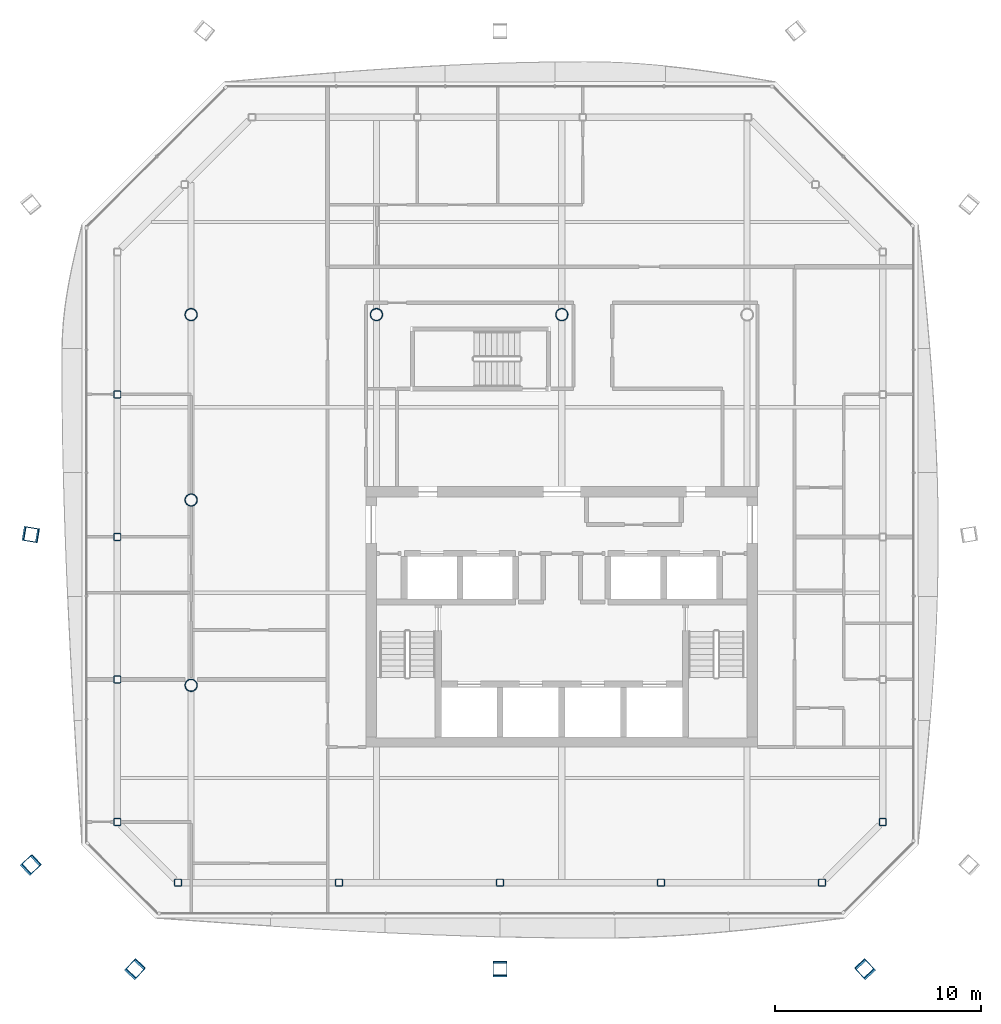
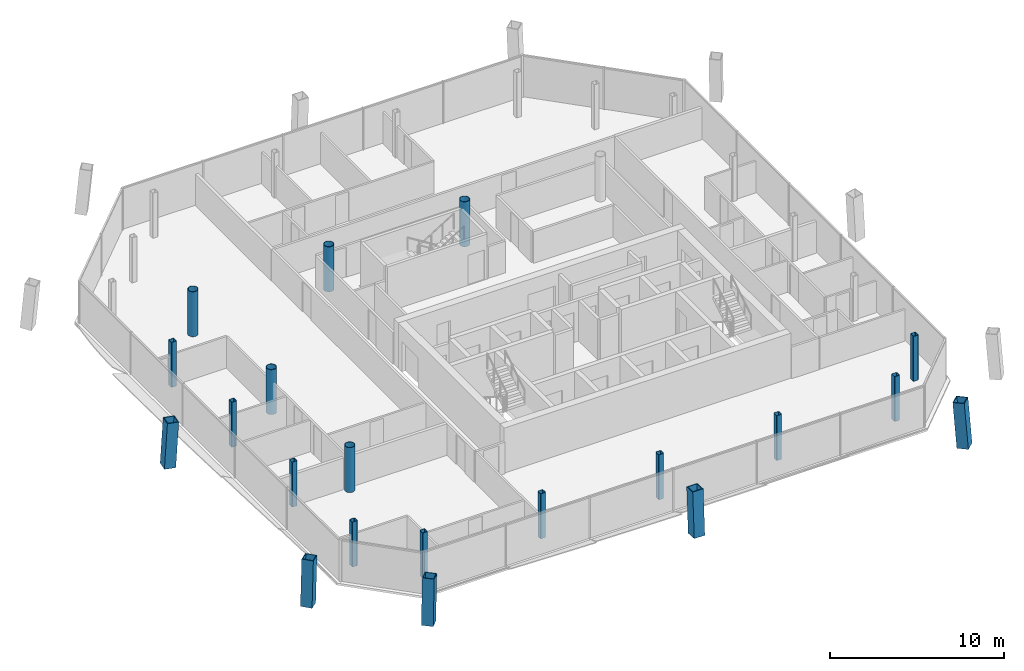
# One storey, part 1 of 20: 20 columns.
"""IFC4 building model written with IfcOpenShell, lengths in metres."""

from ifc_helpers import new_model, si_unit, direction, frame, origin, origin_2d, place, context, subcontext, project, spatial, hollow_rectangle, hollow_circle, extrude, material, material_profile, profile_set, type_object, element, save


model = new_model("IFC4")

# Units and contexts
model_context = context("Model", 3, precision=1e-05, world=origin(), true_north=direction((0.0, 1.0)))
body_context = subcontext(model_context, "Body", "Model", "MODEL_VIEW")
ifc_project = project(units=[si_unit("LENGTHUNIT", "METRE"), si_unit("AREAUNIT", "SQUARE_METRE"), si_unit("VOLUMEUNIT", "CUBIC_METRE"), si_unit("PLANEANGLEUNIT", "RADIAN"), si_unit("MASSUNIT", "GRAM", prefix="KILO")], contexts=[model_context])

# Site, building, storey
site_placement = place(None, origin())
site = spatial("IfcSite", under=ifc_project, at=site_placement, CompositionType="ELEMENT")
building_placement = place(site_placement, origin())
building = spatial("IfcBuilding", under=site, at=building_placement, Name="Tskaro Facet Tower", CompositionType="ELEMENT")
storey_placement = place(building_placement, frame((0.0, 0.0, 197.39990234375)))
storey = spatial("IfcBuildingStorey", under=building, at=storey_placement, Name="L50", CompositionType="ELEMENT", Elevation=197.39990234375)

# Columns
ifc_material_1 = material(Name="Steel S460M", Category="steel")
ifc_material_profile_1 = material_profile(ifc_material_1, hollow_rectangle(XDim=0.699951171875, YDim=0.699951171875, WallThickness=0.044921875, at=origin_2d()), Name="BOX 700x700x45")
ifc_profile_set_1 = profile_set([ifc_material_profile_1], Name="Steel S460M")
column_type_1 = type_object("IfcColumnType", Name="BOX 700x700x45 mega column", PredefinedType="COLUMN", material=ifc_profile_set_1)
column_1_placement = place(storey_placement, frame((-20.7509765625, -22.81494140625, 0.0), z_axis=(0.052848827493, 0.057561953922, 0.996942136181), x_axis=(-0.736620357353, 0.676306475744, 0.0)))
element("IfcColumn", 1, at=column_1_placement, inside=storey, type_object=column_type_1, Name="BOX 700x700x45 MC01/4", PredefinedType="COLUMN", context=body_context, shape_type="SweptSolid", body=[
    extrude(hollow_rectangle(XDim=0.699951171875, YDim=0.699951171875, WallThickness=0.044921875, at=origin_2d()), origin(), (0.0, 0.0, 1.0), 3.159912109375),
])
column_2_placement = place(storey_placement, frame((-3.0, -22.81494140625, 0.0), z_axis=(0.0, 0.057642507929, 0.998337288335), x_axis=(-1.0, 0.0, 0.0)))
element("IfcColumn", 2, at=column_2_placement, inside=storey, type_object=column_type_1, Name="BOX 700x700x45 MC02/4", PredefinedType="COLUMN", context=body_context, shape_type="SweptSolid", body=[
    extrude(hollow_rectangle(XDim=0.699951171875, YDim=0.699951171875, WallThickness=0.044921875, at=origin_2d()), origin(), (0.0, 0.0, 1.0), 3.1552734375),
])
column_3_placement = place(storey_placement, frame((14.7509765625, -22.81494140625, 0.0), z_axis=(-0.052848827493, 0.057561953922, 0.996942136181), x_axis=(-0.736620357353, -0.676306475744, 0.0)))
element("IfcColumn", 3, at=column_3_placement, inside=storey, type_object=column_type_1, Name="BOX 700x700x45 MC03/4", PredefinedType="COLUMN", context=body_context, shape_type="SweptSolid", body=[
    extrude(hollow_rectangle(XDim=0.699951171875, YDim=0.699951171875, WallThickness=0.044921875, at=origin_2d()), origin(), (0.0, 0.0, 1.0), 3.159912109375),
])
column_4_placement = place(storey_placement, frame((-25.81494140625, -1.674072265625, 0.0), z_axis=(0.057639897771, -0.009516385807, 0.998292081801), x_axis=(0.162895476227, 0.986643331617, 0.0)))
element("IfcColumn", 4, at=column_4_placement, inside=storey, type_object=column_type_1, Name="BOX 700x700x45 MC11/4", PredefinedType="COLUMN", context=body_context, shape_type="SweptSolid", body=[
    extrude(hollow_rectangle(XDim=0.699951171875, YDim=0.699951171875, WallThickness=0.044921875, at=origin_2d()), origin(), (0.0, 0.0, 1.0), 3.155517578125),
])
column_5_placement = place(storey_placement, frame((-25.81494140625, -17.7509765625, 0.0), z_axis=(0.057561953922, 0.052848827493, 0.996942136181), x_axis=(-0.676306475744, 0.736620357353, 0.0)))
element("IfcColumn", 5, at=column_5_placement, inside=storey, type_object=column_type_1, Name="BOX 700x700x45 MC12/4", PredefinedType="COLUMN", context=body_context, shape_type="SweptSolid", body=[
    extrude(hollow_rectangle(XDim=0.699951171875, YDim=0.699951171875, WallThickness=0.044921875, at=origin_2d()), origin(), (0.0, 0.0, 1.0), 3.159912109375),
])
ifc_material_2 = material(Name="Steel S355J2H", Category="steel")
ifc_material_profile_2 = material_profile(ifc_material_2, hollow_circle(Radius=0.304931640625, WallThickness=0.030029296875, at=origin_2d()), Name="CHS 610x30")
ifc_profile_set_2 = profile_set([ifc_material_profile_2], Name="Steel S355J2H")
column_type_2 = type_object("IfcColumnType", Name="CHS 610x30 interior column", PredefinedType="COLUMN", material=ifc_profile_set_2)
for number, where, z_axis, x_axis, name in (
    (6, (-18.0, -9.0, 0.0), (0.0, 0.0, 1.0), (1.0, 0.0, 0.0), "CHS 610x30 C2C/4"),
    (7, (-18.0, 0.0, 0.0), (0.0, 0.0, 1.0), (1.0, 0.0, 0.0), "CHS 610x30 C2D/4"),
    (8, (-18.0, 9.0, 0.0), (0.0, 0.0, 1.0), (1.0, 0.0, 0.0), "CHS 610x30 C2E/4"),
    (9, (-9.0, 9.0, 0.0), (0.0, 0.0, 1.0), (1.0, 0.0, 0.0), "CHS 610x30 C3E/4"),
    (10, (0.0, 9.0, 0.0), (0.0, 0.0, 1.0), (1.0, 0.0, 0.0), "CHS 610x30 C4E/4"),
):
    element("IfcColumn", number, at=place(storey_placement, frame(where, z_axis=z_axis, x_axis=x_axis)), inside=storey, type_object=column_type_2, Name=name, PredefinedType="COLUMN", context=body_context, shape_type="SweptSolid", body=[
        extrude(hollow_circle(Radius=0.304931640625, WallThickness=0.030029296875, at=origin_2d()), origin(), (0.0, 0.0, 1.0), 3.150146484375),
    ])
ifc_material_profile_3 = material_profile(ifc_material_2, hollow_rectangle(XDim=0.35009765625, YDim=0.35009765625, WallThickness=0.02001953125, InnerFilletRadius=0.030029296875, OuterFilletRadius=0.050048828125, at=origin_2d()), Name="SHS 350x350x20")
ifc_profile_set_3 = profile_set([ifc_material_profile_3], Name="Steel S355J2H")
column_type_3 = type_object("IfcColumnType", Name="SHS 350x350x20 ring column", PredefinedType="COLUMN", material=ifc_profile_set_3)
for number, where, z_axis, x_axis, name in (
    (11, (-18.633056640625, -18.5830078125, 0.0), (0.0, 0.0, 1.0), (1.0, 0.0, 0.0), "SHS 350x350x20 RS-1/4"),
    (12, (-10.81591796875, -18.5830078125, 0.0), (0.0, 0.0, 1.0), (1.0, 0.0, 0.0), "SHS 350x350x20 RS-2/4"),
    (13, (-3.0, -18.5830078125, 0.0), (0.0, 0.0, 1.0), (1.0, 0.0, 0.0), "SHS 350x350x20 RS-3/4"),
    (14, (4.81689453125, -18.5830078125, 0.0), (0.0, 0.0, 1.0), (1.0, 0.0, 0.0), "SHS 350x350x20 RS-4/4"),
    (15, (12.633056640625, -18.5830078125, 0.0), (0.0, 0.0, 1.0), (1.0, 0.0, 0.0), "SHS 350x350x20 RSE-1/4"),
    (16, (15.5830078125, -15.633056640625, 0.0), (0.0, 0.0, 1.0), (1.0, 0.0, 0.0), "SHS 350x350x20 RE-1/4"),
    (17, (-21.5830078125, 5.1259765625, 0.0), (0.0, 0.0, 1.0), (1.0, 0.0, 0.0), "SHS 350x350x20 RW-2/4"),
    (18, (-21.5830078125, -1.79296875, 0.0), (0.0, 0.0, 1.0), (1.0, 0.0, 0.0), "SHS 350x350x20 RW-3/4"),
    (19, (-21.5830078125, -8.712890625, 0.0), (0.0, 0.0, 1.0), (1.0, 0.0, 0.0), "SHS 350x350x20 RW-4/4"),
    (20, (-21.5830078125, -15.633056640625, 0.0), (0.0, 0.0, 1.0), (1.0, 0.0, 0.0), "SHS 350x350x20 RSW-1/4"),
):
    element("IfcColumn", number, at=place(storey_placement, frame(where, z_axis=z_axis, x_axis=x_axis)), inside=storey, type_object=column_type_3, Name=name, PredefinedType="COLUMN", context=body_context, shape_type="SweptSolid", body=[
        extrude(hollow_rectangle(XDim=0.35009765625, YDim=0.35009765625, WallThickness=0.02001953125, InnerFilletRadius=0.030029296875, OuterFilletRadius=0.050048828125, at=origin_2d()), origin(), (0.0, 0.0, 1.0), 3.150146484375),
    ])

save(model, "model.ifc")
